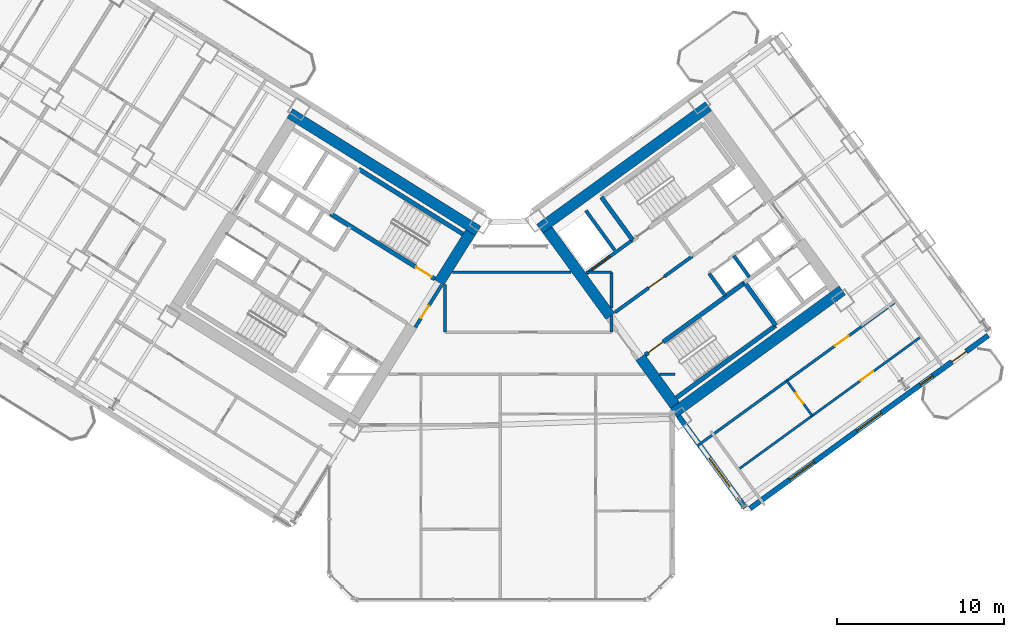
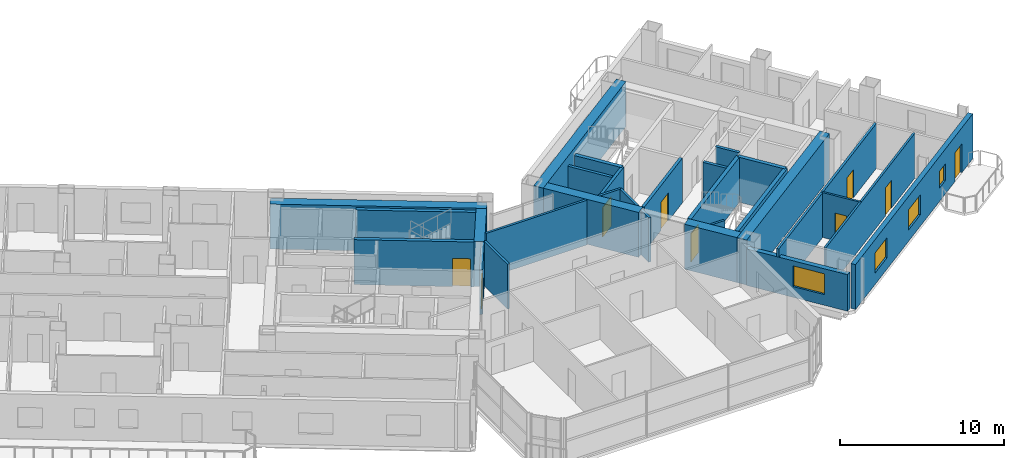
# One storey, part 18 of 24: 29 walls, 9 doors, 4 windows, 13 openings.
"""IFC4 building model written with IfcOpenShell, lengths in metres."""

from ifc_helpers import new_model, si_unit, direction, frame, frame_2d, origin, place, context, subcontext, project, spatial, rectangle, extrude, source, transform, mapped, material, layer, layer_set, type_object, element, fill, save


model = new_model("IFC4")

# Units and contexts
model_context = context("Model", 3, precision=1e-05, world=origin(), true_north=direction((0.0, 1.0)))
body_context = subcontext(model_context, "Body", "Model", "MODEL_VIEW")
ifc_project = project(units=[si_unit("LENGTHUNIT", "METRE"), si_unit("AREAUNIT", "SQUARE_METRE"), si_unit("VOLUMEUNIT", "CUBIC_METRE"), si_unit("PLANEANGLEUNIT", "RADIAN"), si_unit("MASSUNIT", "GRAM", prefix="KILO")], contexts=[model_context])

# Site, building, storey
site_placement = place(None, origin())
site = spatial("IfcSite", under=ifc_project, at=site_placement, CompositionType="ELEMENT")
building_placement = place(site_placement, origin())
building = spatial("IfcBuilding", under=site, at=building_placement, Name="Tlacorven Tower", CompositionType="ELEMENT")
storey_placement = place(building_placement, frame((0.0, 0.0, 45.60009765625)))
storey = spatial("IfcBuildingStorey", under=building, at=storey_placement, Name="L11", CompositionType="ELEMENT", Elevation=45.60009765625)

# Walls
ifc_material_1 = material(Name="Concrete C60/75", Category="concrete")
ifc_layer_1 = layer(ifc_material_1, 0.64990234375)
ifc_layer_set_1 = layer_set([ifc_layer_1], Name="Concrete C60/75")
wall_type_1 = type_object("IfcWallType", Name="WL-COR-650", PredefinedType="SHEAR", material=ifc_layer_set_1)
wall_1_placement = place(storey_placement, frame((40.615478515625, 23.9833984375, 0.0), z_axis=(0.0, 0.0, 1.0), x_axis=(-0.848045953968, 0.529922692436, 0.0)))
element("IfcWall", 1, at=wall_1_placement, inside=storey, type_object=wall_type_1, Name="L11 W core shear wall S1", PredefinedType="SHEAR", context=body_context, shape_type="SweptSolid", body=[
    extrude(rectangle(XDim=13.239990234375, YDim=0.64990234375, at=frame_2d((6.6201171875, 0.0))), origin(), (0.0, 0.0, 1.0), 3.349853515625),
])
wall_2_placement = place(storey_placement, frame((40.167724609375, 23.880126953125, 0.0), z_axis=(0.0, 0.0, 1.0), x_axis=(-0.529893103397, -0.8480644427, 0.0)))
element("IfcWall", 2, at=wall_2_placement, inside=storey, type_object=wall_type_1, Name="L11 W core end wall E1.1", PredefinedType="SHEAR", context=body_context, shape_type="SweptSolid", body=[
    extrude(rectangle(XDim=3.525146484375, YDim=0.64990234375, at=frame_2d((1.7626953125, 0.0))), origin(), (0.0, 0.0, 1.0), 3.349853515625),
])
wall_3_placement = place(storey_placement, frame((52.318359375, 13.1103515625, 0.0), z_axis=(0.0, 0.0, 1.0), x_axis=(0.809019445368, 0.587781878776, 0.0)))
element("IfcWall", 3, at=wall_3_placement, inside=storey, type_object=wall_type_1, Name="L11 E core shear wall S1", PredefinedType="SHEAR", context=body_context, shape_type="SweptSolid", body=[
    extrude(rectangle(XDim=12.43994140625, YDim=0.64990234375, at=frame_2d((6.219970703125, 0.0))), origin(), (0.0, 0.0, 1.0), 3.349853515625),
])
wall_4_placement = place(storey_placement, frame((44.32470703125, 24.113037109375, 0.0), z_axis=(0.0, 0.0, 1.0), x_axis=(0.809012664862, 0.58779121131, 0.0)))
element("IfcWall", 4, at=wall_4_placement, inside=storey, type_object=wall_type_1, Name="L11 E core shear wall S2", PredefinedType="SHEAR", context=body_context, shape_type="SweptSolid", body=[
    extrude(rectangle(XDim=12.439697265625, YDim=0.64990234375, at=frame_2d((6.2197265625, 0.0))), origin(), (0.0, 0.0, 1.0), 3.349853515625),
])
wall_5_placement = place(storey_placement, frame((52.390380859375, 13.564208984375, 0.0), z_axis=(0.0, 0.0, 1.0), x_axis=(-0.58779688989, 0.809008539037, 0.0)))
element("IfcWall", 5, at=wall_5_placement, inside=storey, type_object=wall_type_1, Name="L11 E core end wall E1.1", PredefinedType="SHEAR", context=body_context, shape_type="SweptSolid", body=[
    extrude(rectangle(XDim=3.525146484375, YDim=0.64990234375, at=frame_2d((1.7626953125, 0.0))), origin(), (0.0, 0.0, 1.0), 3.349853515625),
])
wall_6_placement = place(storey_placement, frame((48.525634765625, 18.883544921875, 0.0), z_axis=(0.0, 0.0, 1.0), x_axis=(-0.58777996584, 0.809020835181, 0.0)))
element("IfcWall", 6, at=wall_6_placement, inside=storey, type_object=wall_type_1, Name="L11 E core end wall E1.2", PredefinedType="SHEAR", context=body_context, shape_type="SweptSolid", body=[
    extrude(rectangle(XDim=6.375, YDim=0.64990234375, at=frame_2d((3.1875, 0.0))), origin(), (0.0, 0.0, 1.0), 3.349853515625),
])
ifc_material_2 = material(Name="Gypsum plasterboard acoustic partition", Category="gypsum")
ifc_layer_2 = layer(ifc_material_2, 0.159912109375)
ifc_layer_set_2 = layer_set([ifc_layer_2], Name="Gypsum plasterboard acoustic partition")
wall_type_2 = type_object("IfcWallType", Name="WL-DEM-160", PredefinedType="PARTITIONING", material=ifc_layer_set_2)
wall_7_placement = place(storey_placement, frame((51.477294921875, 15.419921875, 0.0), z_axis=(0.0, 0.0, 1.0), x_axis=(1.0, 0.0, 0.0)))
element("IfcWall", 7, at=wall_7_placement, inside=storey, type_object=wall_type_2, Name="L11 Knuckle Corridor South Wall", PredefinedType="PARTITIONING", context=body_context, shape_type="SweptSolid", body=[
    extrude(rectangle(XDim=0.922607421875, YDim=0.159912109375, at=frame_2d((0.46142578125, 0.0))), origin(), (0.0, 0.0, 1.0), 3.33984375),
])
wall_8_placement = place(storey_placement, frame((38.64990234375, 17.929931640625, 0.0), z_axis=(0.0, 0.0, 1.0), x_axis=(0.0, 1.0, 0.0)))
element("IfcWall", 8, at=wall_8_placement, inside=storey, type_object=wall_type_2, Name="L11 partition 82", PredefinedType="PARTITIONING", context=body_context, shape_type="SweptSolid", body=[
    extrude(rectangle(XDim=2.85693359375, YDim=0.159912109375, at=frame_2d((1.428466796875, 0.0))), origin(), (0.0, 0.0, 1.0), 3.33984375),
])
wall_9_placement = place(storey_placement, frame((48.60009765625, 17.929931640625, 0.0), z_axis=(0.0, 0.0, 1.0), x_axis=(0.0, 1.0, 0.0)))
element("IfcWall", 9, at=wall_9_placement, inside=storey, type_object=wall_type_2, Name="L11 partition 83", PredefinedType="PARTITIONING", context=body_context, shape_type="SweptSolid", body=[
    extrude(rectangle(XDim=0.99267578125, YDim=0.159912109375, at=frame_2d((0.496337890625, 0.0))), origin(), (0.0, 0.0, 1.0), 3.33984375),
])
wall_10_placement = place(storey_placement, frame((48.60009765625, 19.380126953125, 0.0), z_axis=(0.0, 0.0, 1.0), x_axis=(0.0, 1.0, 0.0)))
element("IfcWall", 10, at=wall_10_placement, inside=storey, type_object=wall_type_2, Name="L11 partition 83", PredefinedType="PARTITIONING", context=body_context, shape_type="SweptSolid", body=[
    extrude(rectangle(XDim=2.119873046875, YDim=0.159912109375, at=frame_2d((1.06005859375, 0.0))), origin(), (0.0, 0.0, 1.0), 3.33984375),
])
wall_11_placement = place(storey_placement, frame((39.095458984375, 21.5, 0.0), z_axis=(0.0, 0.0, 1.0), x_axis=(1.0, 0.0, 0.0)))
element("IfcWall", 11, at=wall_11_placement, inside=storey, type_object=wall_type_2, Name="L11 partition 84", PredefinedType="PARTITIONING", context=body_context, shape_type="SweptSolid", body=[
    extrude(rectangle(XDim=7.09423828125, YDim=0.159912109375, at=frame_2d((3.547119140625, 0.0))), origin(), (0.0, 0.0, 1.0), 3.33984375),
])
wall_12_placement = place(storey_placement, frame((47.059814453125, 21.5, 0.0), z_axis=(0.0, 0.0, 1.0), x_axis=(1.0, 0.0, 0.0)))
element("IfcWall", 12, at=wall_12_placement, inside=storey, type_object=wall_type_2, Name="L11 partition 84", PredefinedType="PARTITIONING", context=body_context, shape_type="SweptSolid", body=[
    extrude(rectangle(XDim=1.540283203125, YDim=0.159912109375, at=frame_2d((0.77001953125, 0.0))), origin(), (0.0, 0.0, 1.0), 3.33984375),
])

# Wall, opening, door
wall_13_placement = place(storey_placement, frame((53.70458984375, 11.1259765625, 0.0), z_axis=(0.0, 0.0, 1.0), x_axis=(0.809014504436, 0.587788679384, 0.0)))
wall_13 = element("IfcWall", 13, at=wall_13_placement, inside=storey, type_object=wall_type_2, Name="L11 partition 104", PredefinedType="PARTITIONING", context=body_context, shape_type="SweptSolid", body=[
    extrude(rectangle(XDim=14.669921875, YDim=0.159912109375, at=frame_2d((7.3349609375, 0.0))), origin(), (0.0, 0.0, 1.0), 3.33984375),
])
opening_1_placement = place(wall_13_placement, frame((10.199951171875, 0.0, 0.0)))
opening_1 = element("IfcOpeningElement", 14, at=opening_1_placement, cuts=wall_13, Name="Opening D11", PredefinedType="OPENING", context=body_context, shape_type="SweptSolid", body=[
    extrude(rectangle(XDim=1.0, YDim=2.10009765625, at=frame_2d((0.5, 1.050048828125))), frame((0.0, 0.08984375, 0.0), z_axis=(0.0, -1.0, 0.0), x_axis=(1.0, 0.0, 0.0)), (0.0, 0.0, 1.0), 0.179931640625),
])
ifc_material_3 = material(Name="Fire-rated steel door assembly", Category="steel")
door_type_1 = type_object("IfcDoorType", Name="DR-FLT-FD60-1000", OperationType="NOTDEFINED", PredefinedType="DOOR", material=ifc_material_3)
shared_shape_1 = source(origin(), body_context, "Body", "SweptSolid", [
    extrude(rectangle(XDim=1.0, YDim=2.10009765625, at=frame_2d((0.5, 1.050048828125))), frame((0.0, 0.02490234375, 0.0), z_axis=(0.0, -1.0, 0.0), x_axis=(1.0, 0.0, 0.0)), (0.0, 0.0, 1.0), 0.050048828125),
])
door_1_placement = place(opening_1_placement, origin())
door_1 = element("IfcDoor", 15, at=door_1_placement, inside=storey, type_object=door_type_1, Name="L11 door 065", OperationType="SINGLE_SWING_RIGHT", OverallHeight=2.10009765625, OverallWidth=1.0, PredefinedType="DOOR", context=body_context, shape_type="MappedRepresentation", body=[
    mapped(shared_shape_1, transform((0.0, 0.0, 0.0), scale=1.0)),
])
fill(opening_1, door_1)

# Wall, openings, door, windows
ifc_material_4 = material(Name="Precast concrete C45/55", Category="concrete")
ifc_layer_3 = layer(ifc_material_4, 0.320068359375)
ifc_layer_set_3 = layer_set([ifc_layer_3], Name="Precast concrete C45/55")
wall_type_3 = type_object("IfcWallType", Name="WL-EXT-320", PredefinedType="STANDARD", material=ifc_layer_set_3)
wall_14_placement = place(storey_placement, frame((71.097900390625, 17.73095703125, 0.0), z_axis=(0.0, 0.0, 1.0), x_axis=(-0.809021120468, -0.587779573171, 0.0)))
wall_14 = element("IfcWall", 16, at=wall_14_placement, inside=storey, type_object=wall_type_3, Name="L11 Masonry-Frame Recessed Facade Wall 6", PredefinedType="STANDARD", context=body_context, shape_type="SweptSolid", body=[
    extrude(rectangle(XDim=17.587646484375, YDim=0.320068359375, at=frame_2d((8.7939453125, 0.0))), origin(), (0.0, 0.0, 1.0), 3.349853515625),
])
opening_2_placement = place(wall_14_placement, frame((1.623779296875, 0.0, 0.0)))
opening_2 = element("IfcOpeningElement", 17, at=opening_2_placement, cuts=wall_14, Name="Opening D06", PredefinedType="OPENING", context=body_context, shape_type="SweptSolid", body=[
    extrude(rectangle(XDim=1.050048828125, YDim=2.14990234375, at=frame_2d((0.52490234375, 1.074951171875))), frame((0.0, 0.169921875, 0.0), z_axis=(0.0, -1.0, 0.0), x_axis=(1.0, 0.0, 0.0)), (0.0, 0.0, 1.0), 0.340087890625),
])
opening_3_placement = place(wall_14_placement, frame((4.103759765625, 0.0, 1.0)))
opening_3 = element("IfcOpeningElement", 18, at=opening_3_placement, cuts=wall_14, Name="Opening WN05", PredefinedType="OPENING", context=body_context, shape_type="SweptSolid", body=[
    extrude(rectangle(XDim=0.89990234375, YDim=1.25, at=frame_2d((0.449951171875, 0.625))), frame((0.0, 0.169921875, 0.0), z_axis=(0.0, -1.0, 0.0), x_axis=(1.0, 0.0, 0.0)), (0.0, 0.0, 1.0), 0.340087890625),
])
opening_4_placement = place(wall_14_placement, frame((7.878662109375, 0.0, 0.85009765625)))
opening_4 = element("IfcOpeningElement", 19, at=opening_4_placement, cuts=wall_14, Name="Opening WN01", PredefinedType="OPENING", context=body_context, shape_type="SweptSolid", body=[
    extrude(rectangle(XDim=1.800048828125, YDim=1.5, at=frame_2d((0.89990234375, 0.75))), frame((0.0, 0.169921875, 0.0), z_axis=(0.0, -1.0, 0.0), x_axis=(1.0, 0.0, 0.0)), (0.0, 0.0, 1.0), 0.340087890625),
])
opening_5_placement = place(wall_14_placement, frame((12.8486328125, 0.0, 0.85009765625)))
opening_5 = element("IfcOpeningElement", 20, at=opening_5_placement, cuts=wall_14, Name="Opening WN01", PredefinedType="OPENING", context=body_context, shape_type="SweptSolid", body=[
    extrude(rectangle(XDim=1.800048828125, YDim=1.5, at=frame_2d((0.89990234375, 0.75))), frame((0.0, 0.169921875, 0.0), z_axis=(0.0, -1.0, 0.0), x_axis=(1.0, 0.0, 0.0)), (0.0, 0.0, 1.0), 0.340087890625),
])
ifc_material_5 = material(Name="Powder-coated aluminium and timber door", Category="wood")
door_type_2 = type_object("IfcDoorType", Name="DR-EXT-BALC-1050", OperationType="NOTDEFINED", PredefinedType="DOOR", material=ifc_material_5)
shared_shape_2 = source(origin(), body_context, "Body", "SweptSolid", [
    extrude(rectangle(XDim=1.050048828125, YDim=2.14990234375, at=frame_2d((0.52490234375, 1.074951171875))), frame((0.0, 0.02490234375, 0.0), z_axis=(0.0, -1.0, 0.0), x_axis=(1.0, 0.0, 0.0)), (0.0, 0.0, 1.0), 0.050048828125),
])
door_2_placement = place(opening_2_placement, origin())
door_2 = element("IfcDoor", 21, at=door_2_placement, inside=storey, type_object=door_type_2, Name="L11 Outdoor Access Door BAL-L11-E-OUT", OperationType="SINGLE_SWING_LEFT", OverallHeight=2.14990234375, OverallWidth=1.050048828125, PredefinedType="DOOR", context=body_context, shape_type="MappedRepresentation", body=[
    mapped(shared_shape_2, transform((0.0, 0.0, 0.0), scale=1.0)),
])
fill(opening_2, door_2)
ifc_material_6 = material(Name="Dark solar low-E double glazing in anodised aluminium frame", Category="aluminium")
window_type_1 = type_object("IfcWindowType", Name="WN-APT-1800X1650", PartitioningType="SINGLE_PANEL", PredefinedType="WINDOW", material=ifc_material_6)
shared_shape_3 = source(origin(), body_context, "Body", "SweptSolid", [
    extrude(rectangle(XDim=1.800048828125, YDim=1.5, at=frame_2d((0.89990234375, 0.75))), frame((0.0, 0.030029296875, 0.0), z_axis=(0.0, -1.0, 0.0), x_axis=(1.0, 0.0, 0.0)), (0.0, 0.0, 1.0), 0.06005859375),
])
window_1_placement = place(opening_4_placement, origin())
window_1 = element("IfcWindow", 22, at=window_1_placement, inside=storey, type_object=window_type_1, Name="L11 Recessed Masonry-Frame Window L11-06.2", OverallHeight=1.5, OverallWidth=1.800048828125, PartitioningType="SINGLE_PANEL", PredefinedType="WINDOW", context=body_context, shape_type="MappedRepresentation", body=[
    mapped(shared_shape_3, transform((0.0, 0.0, 0.0), scale=1.0)),
])
fill(opening_4, window_1)
window_2_placement = place(opening_5_placement, origin())
window_2 = element("IfcWindow", 23, at=window_2_placement, inside=storey, type_object=window_type_1, Name="L11 Recessed Masonry-Frame Window L11-06.3", OverallHeight=1.5, OverallWidth=1.800048828125, PartitioningType="SINGLE_PANEL", PredefinedType="WINDOW", context=body_context, shape_type="MappedRepresentation", body=[
    mapped(shared_shape_3, transform((0.0, 0.0, 0.0), scale=1.0)),
])
fill(opening_5, window_2)
window_type_2 = type_object("IfcWindowType", Name="WN-APT-0900X1350", PartitioningType="SINGLE_PANEL", PredefinedType="WINDOW", material=ifc_material_6)
shared_shape_4 = source(origin(), body_context, "Body", "SweptSolid", [
    extrude(rectangle(XDim=0.89990234375, YDim=1.25, at=frame_2d((0.449951171875, 0.625))), frame((0.0, 0.030029296875, 0.0), z_axis=(0.0, -1.0, 0.0), x_axis=(1.0, 0.0, 0.0)), (0.0, 0.0, 1.0), 0.06005859375),
])
window_3_placement = place(opening_3_placement, origin())
window_3 = element("IfcWindow", 24, at=window_3_placement, inside=storey, type_object=window_type_2, Name="L11 Recessed Masonry-Frame Window L11-06.1", OverallHeight=1.25, OverallWidth=0.89990234375, PartitioningType="SINGLE_PANEL", PredefinedType="WINDOW", context=body_context, shape_type="MappedRepresentation", body=[
    mapped(shared_shape_4, transform((0.0, 0.0, 0.0), scale=1.0)),
])
fill(opening_3, window_3)

# Wall, opening, window
wall_15_placement = place(storey_placement, frame((56.5810546875, 7.43896484375, 0.0), z_axis=(0.0, 0.0, 1.0), x_axis=(-0.587785875463, 0.809016541614, 0.0)))
wall_15 = element("IfcWall", 25, at=wall_15_placement, inside=storey, type_object=wall_type_3, Name="L11 Masonry-Frame Recessed Facade Wall 7", PredefinedType="STANDARD", context=body_context, shape_type="SweptSolid", body=[
    extrude(rectangle(XDim=6.773681640625, YDim=0.320068359375, at=frame_2d((3.38671875, 0.0))), origin(), (0.0, 0.0, 1.0), 2.724853515625),
])
opening_6_placement = place(wall_15_placement, frame((1.55615234375, 0.0, 0.800048828125)))
opening_6 = element("IfcOpeningElement", 26, at=opening_6_placement, cuts=wall_15, Name="Opening WN04", PredefinedType="OPENING", context=body_context, shape_type="SweptSolid", body=[
    extrude(rectangle(XDim=2.10009765625, YDim=1.550048828125, at=frame_2d((1.050048828125, 0.77490234375))), frame((0.0, 0.169921875, 0.0), z_axis=(0.0, -1.0, 0.0), x_axis=(1.0, 0.0, 0.0)), (0.0, 0.0, 1.0), 0.340087890625),
])
window_type_3 = type_object("IfcWindowType", Name="WN-APT-2100X1750", PartitioningType="SINGLE_PANEL", PredefinedType="WINDOW", material=ifc_material_6)
shared_shape_5 = source(origin(), body_context, "Body", "SweptSolid", [
    extrude(rectangle(XDim=2.10009765625, YDim=1.550048828125, at=frame_2d((1.050048828125, 0.77490234375))), frame((0.0, 0.030029296875, 0.0), z_axis=(0.0, -1.0, 0.0), x_axis=(1.0, 0.0, 0.0)), (0.0, 0.0, 1.0), 0.06005859375),
])
window_4_placement = place(opening_6_placement, origin())
window_4 = element("IfcWindow", 27, at=window_4_placement, inside=storey, type_object=window_type_3, Name="L11 Recessed Masonry-Frame Window L11-07.1", OverallHeight=1.550048828125, OverallWidth=2.10009765625, PartitioningType="SINGLE_PANEL", PredefinedType="WINDOW", context=body_context, shape_type="MappedRepresentation", body=[
    mapped(shared_shape_5, transform((0.0, 0.0, 0.0), scale=1.0)),
])
fill(opening_6, window_4)

# Wall, opening, door
ifc_material_7 = material(Name="Moisture-resistant gypsum plumbing wall", Category="gypsum")
ifc_layer_4 = layer(ifc_material_7, 0.139892578125)
ifc_layer_set_4 = layer_set([ifc_layer_4], Name="Moisture-resistant gypsum plumbing wall")
wall_type_4 = type_object("IfcWallType", Name="WL-PLM-140", PredefinedType="PLUMBINGWALL", material=ifc_layer_set_4)
wall_16_placement = place(storey_placement, frame((56.24853515625, 9.78515625, 0.0), z_axis=(0.0, 0.0, 1.0), x_axis=(0.809011747655, 0.587792473715, 0.0)))
wall_16 = element("IfcWall", 28, at=wall_16_placement, inside=storey, type_object=wall_type_4, Name="L11 partition 106", PredefinedType="PLUMBINGWALL", context=body_context, shape_type="SweptSolid", body=[
    extrude(rectangle(XDim=13.400146484375, YDim=0.139892578125, at=frame_2d((6.7001953125, 0.0))), origin(), (0.0, 0.0, 1.0), 3.33984375),
])
opening_7_placement = place(wall_16_placement, frame((8.93994140625, 0.0, 0.0)))
opening_7 = element("IfcOpeningElement", 29, at=opening_7_placement, cuts=wall_16, Name="Opening D12", PredefinedType="OPENING", context=body_context, shape_type="SweptSolid", body=[
    extrude(rectangle(XDim=0.919921875, YDim=2.080078125, at=frame_2d((0.4599609375, 1.0400390625))), frame((0.0, 0.080078125, 0.0), z_axis=(0.0, -1.0, 0.0), x_axis=(1.0, 0.0, 0.0)), (0.0, 0.0, 1.0), 0.159912109375),
])
door_type_3 = type_object("IfcDoorType", Name="DR-INT-ROOM-0920", OperationType="NOTDEFINED", PredefinedType="DOOR", material=ifc_material_5)
shared_shape_6 = source(origin(), body_context, "Body", "SweptSolid", [
    extrude(rectangle(XDim=0.919921875, YDim=2.080078125, at=frame_2d((0.4599609375, 1.0400390625))), frame((0.0, 0.02490234375, 0.0), z_axis=(0.0, -1.0, 0.0), x_axis=(1.0, 0.0, 0.0)), (0.0, 0.0, 1.0), 0.050048828125),
])
door_3_placement = place(opening_7_placement, origin())
door_3 = element("IfcDoor", 30, at=door_3_placement, inside=storey, type_object=door_type_3, Name="L11 door 066", OperationType="SINGLE_SWING_LEFT", OverallHeight=2.080078125, OverallWidth=0.919921875, PredefinedType="DOOR", context=body_context, shape_type="MappedRepresentation", body=[
    mapped(shared_shape_6, transform((0.0, 0.0, 0.0), scale=1.0)),
])
fill(opening_7, door_3)

wall_17_placement = place(storey_placement, frame((60.584716796875, 12.935791015625, 0.0), z_axis=(0.0, 0.0, 1.0), x_axis=(-0.587772116736, 0.809026537752, 0.0)))
wall_17 = element("IfcWall", 31, at=wall_17_placement, inside=storey, type_object=wall_type_4, Name="L11 partition 107", PredefinedType="PLUMBINGWALL", context=body_context, shape_type="SweptSolid", body=[
    extrude(rectangle(XDim=2.579833984375, YDim=0.139892578125, at=frame_2d((1.2900390625, 0.0))), origin(), (0.0, 0.0, 1.0), 3.33984375),
])
opening_8_placement = place(wall_17_placement, frame((0.89990234375, 0.0, 0.0)))
opening_8 = element("IfcOpeningElement", 32, at=opening_8_placement, cuts=wall_17, Name="Opening D22", PredefinedType="OPENING", context=body_context, shape_type="SweptSolid", body=[
    extrude(rectangle(XDim=0.780029296875, YDim=2.050048828125, at=frame_2d((0.39013671875, 1.02490234375))), frame((0.0, 0.080078125, 0.0), z_axis=(0.0, -1.0, 0.0), x_axis=(1.0, 0.0, 0.0)), (0.0, 0.0, 1.0), 0.159912109375),
])
door_type_4 = type_object("IfcDoorType", Name="DR-INT-WET-0780", OperationType="NOTDEFINED", PredefinedType="DOOR", material=ifc_material_5)
shared_shape_7 = source(origin(), body_context, "Body", "SweptSolid", [
    extrude(rectangle(XDim=0.780029296875, YDim=2.050048828125, at=frame_2d((0.39013671875, 1.02490234375))), frame((0.0, 0.02490234375, 0.0), z_axis=(0.0, -1.0, 0.0), x_axis=(1.0, 0.0, 0.0)), (0.0, 0.0, 1.0), 0.050048828125),
])
door_4_placement = place(opening_8_placement, origin())
door_4 = element("IfcDoor", 33, at=door_4_placement, inside=storey, type_object=door_type_4, Name="L11 door 067", OperationType="SINGLE_SWING_RIGHT", OverallHeight=2.050048828125, OverallWidth=0.780029296875, PredefinedType="DOOR", context=body_context, shape_type="MappedRepresentation", body=[
    mapped(shared_shape_7, transform((0.0, 0.0, 0.0), scale=1.0)),
])
fill(opening_8, door_4)

ifc_material_8 = material(Name="Concrete C40/50", Category="concrete")
ifc_layer_5 = layer(ifc_material_8, 0.199951171875)
ifc_layer_set_5 = layer_set([ifc_layer_5], Name="Concrete C40/50")
wall_type_5 = type_object("IfcWallType", Name="WL-SHF-200", PredefinedType="STANDARD", material=ifc_layer_set_5)
wall_18_placement = place(storey_placement, frame((47.10595703125, 21.4365234375, 0.0), z_axis=(0.0, 0.0, 1.0), x_axis=(0.809012514015, 0.58779141893, 0.0)))
wall_18 = element("IfcWall", 34, at=wall_18_placement, inside=storey, type_object=wall_type_5, Name="L11 Core E Firefighting Lift Shaft Front Wall", PredefinedType="STANDARD", context=body_context, shape_type="SweptSolid", body=[
    extrude(rectangle(XDim=3.39794921875, YDim=0.199951171875, at=frame_2d((1.698974609375, 0.0))), origin(), (0.0, 0.0, 1.0), 3.33984375),
])
opening_9_placement = place(wall_18_placement, frame((0.407958984375, 0.0, 0.0)))
opening_9 = element("IfcOpeningElement", 35, at=opening_9_placement, cuts=wall_18, Name="Opening LD03", PredefinedType="OPENING", context=body_context, shape_type="SweptSolid", body=[
    extrude(rectangle(XDim=1.300048828125, YDim=2.199951171875, at=frame_2d((0.64990234375, 1.10009765625))), frame((0.0, 0.10986328125, 0.0), z_axis=(0.0, -1.0, 0.0), x_axis=(1.0, 0.0, 0.0)), (0.0, 0.0, 1.0), 0.219970703125),
])
door_type_5 = type_object("IfcDoorType", Name="DR-LFT-SLID-1300", OperationType="DOUBLE_DOOR_SLIDING", PredefinedType="DOOR", material=ifc_material_3)
shared_shape_8 = source(origin(), body_context, "Body", "SweptSolid", [
    extrude(rectangle(XDim=1.300048828125, YDim=2.199951171875, at=frame_2d((0.64990234375, 1.10009765625))), frame((0.0, 0.02490234375, 0.0), z_axis=(0.0, -1.0, 0.0), x_axis=(1.0, 0.0, 0.0)), (0.0, 0.0, 1.0), 0.050048828125),
])
door_5_placement = place(opening_9_placement, origin())
door_5 = element("IfcDoor", 36, at=door_5_placement, inside=storey, type_object=door_type_5, Name="L11 Lift FFL-E1 Sliding Landing Door", OperationType="DOUBLE_DOOR_SLIDING", OverallHeight=2.199951171875, OverallWidth=1.300048828125, PredefinedType="DOOR", context=body_context, shape_type="MappedRepresentation", body=[
    mapped(shared_shape_8, transform((0.0, 0.0, 0.0), scale=1.0)),
])
fill(opening_9, door_5)

wall_19_placement = place(storey_placement, frame((48.798828125, 19.106689453125, 0.0), z_axis=(0.0, 0.0, 1.0), x_axis=(0.809012959416, 0.587790805897, 0.0)))
wall_19 = element("IfcWall", 37, at=wall_19_placement, inside=storey, type_object=wall_type_5, Name="L11 Core E Smoke Lobby Wall", PredefinedType="STANDARD", context=body_context, shape_type="SweptSolid", body=[
    extrude(rectangle(XDim=5.7177734375, YDim=0.199951171875, at=frame_2d((2.85888671875, 0.0))), origin(), (0.0, 0.0, 1.0), 3.33984375),
])
opening_10_placement = place(wall_19_placement, frame((2.498046875, 0.0, 0.0)))
opening_10 = element("IfcOpeningElement", 38, at=opening_10_placement, cuts=wall_19, Name="Opening D09", PredefinedType="OPENING", context=body_context, shape_type="SweptSolid", body=[
    extrude(rectangle(XDim=1.14990234375, YDim=2.10009765625, at=frame_2d((0.574951171875, 1.050048828125))), frame((0.0, 0.10986328125, 0.0), z_axis=(0.0, -1.0, 0.0), x_axis=(1.0, 0.0, 0.0)), (0.0, 0.0, 1.0), 0.219970703125),
])
door_type_6 = type_object("IfcDoorType", Name="DR-FFL-FD60-1150", OperationType="NOTDEFINED", PredefinedType="DOOR", material=ifc_material_3)
shared_shape_9 = source(origin(), body_context, "Body", "SweptSolid", [
    extrude(rectangle(XDim=1.14990234375, YDim=2.10009765625, at=frame_2d((0.574951171875, 1.050048828125))), frame((0.0, 0.02490234375, 0.0), z_axis=(0.0, -1.0, 0.0), x_axis=(1.0, 0.0, 0.0)), (0.0, 0.0, 1.0), 0.050048828125),
])
door_6_placement = place(opening_10_placement, origin())
door_6 = element("IfcDoor", 39, at=door_6_placement, inside=storey, type_object=door_type_6, Name="L11 Firefighting Lobby E Fire Door", OperationType="SINGLE_SWING_LEFT", OverallHeight=2.10009765625, OverallWidth=1.14990234375, PredefinedType="DOOR", context=body_context, shape_type="MappedRepresentation", body=[
    mapped(shared_shape_9, transform((0.0, 0.0, 0.0), scale=1.0)),
])
fill(opening_10, door_6)

# Walls
wall_20_placement = place(storey_placement, frame((55.390869140625, 20.1015625, 0.0), z_axis=(0.0, 0.0, 1.0), x_axis=(-0.58778447739, 0.809017557374, 0.0)))
element("IfcWall", 40, at=wall_20_placement, inside=storey, type_object=wall_type_5, Name="L11 partition 37", PredefinedType="STANDARD", context=body_context, shape_type="SweptSolid", body=[
    extrude(rectangle(XDim=1.64990234375, YDim=0.199951171875, at=frame_2d((0.824951171875, 0.0))), origin(), (0.0, 0.0, 1.0), 3.33984375),
])
wall_21_placement = place(storey_placement, frame((48.78564453125, 22.830078125, 0.0), z_axis=(0.0, 0.0, 1.0), x_axis=(-0.587783856777, 0.809018008275, 0.0)))
element("IfcWall", 41, at=wall_21_placement, inside=storey, type_object=wall_type_5, Name="L11 partition 38", PredefinedType="STANDARD", context=body_context, shape_type="SweptSolid", body=[
    extrude(rectangle(XDim=2.919921875, YDim=0.199951171875, at=frame_2d((1.4599609375, 0.0))), origin(), (0.0, 0.0, 1.0), 3.33984375),
])
wall_22_placement = place(storey_placement, frame((56.833984375, 21.211669921875, 0.0), z_axis=(0.0, 0.0, 1.0), x_axis=(-0.58776738483, 0.809029975545, 0.0)))
element("IfcWall", 42, at=wall_22_placement, inside=storey, type_object=wall_type_5, Name="L11 partition 39", PredefinedType="STANDARD", context=body_context, shape_type="SweptSolid", body=[
    extrude(rectangle(XDim=1.580078125, YDim=0.199951171875, at=frame_2d((0.7900390625, 0.0))), origin(), (0.0, 0.0, 1.0), 3.33984375),
])

# Wall, opening, door
wall_23_placement = place(storey_placement, frame((38.451416015625, 20.737060546875, 0.0), z_axis=(0.0, 0.0, 1.0), x_axis=(-0.529924799939, -0.848044637038, 0.0)))
wall_23 = element("IfcWall", 43, at=wall_23_placement, inside=storey, type_object=wall_type_5, Name="L11 partition 79", PredefinedType="STANDARD", context=body_context, shape_type="SweptSolid", body=[
    extrude(rectangle(XDim=2.9599609375, YDim=0.199951171875, at=frame_2d((1.47998046875, 0.0))), origin(), (0.0, 0.0, 1.0), 3.33984375),
])
opening_11_placement = place(wall_23_placement, frame((1.4599609375, 0.0, 0.0)))
opening_11 = element("IfcOpeningElement", 44, at=opening_11_placement, cuts=wall_23, Name="Opening D19", PredefinedType="OPENING", context=body_context, shape_type="SweptSolid", body=[
    extrude(rectangle(XDim=0.860107421875, YDim=2.050048828125, at=frame_2d((0.43017578125, 1.02490234375))), frame((0.0, 0.10986328125, 0.0), z_axis=(0.0, -1.0, 0.0), x_axis=(1.0, 0.0, 0.0)), (0.0, 0.0, 1.0), 0.219970703125),
])
door_type_7 = type_object("IfcDoorType", Name="DR-RSR-FD60-0860", OperationType="NOTDEFINED", PredefinedType="DOOR", material=ifc_material_3)
shared_shape_10 = source(origin(), body_context, "Body", "SweptSolid", [
    extrude(rectangle(XDim=0.860107421875, YDim=2.050048828125, at=frame_2d((0.43017578125, 1.02490234375))), frame((0.0, 0.02490234375, 0.0), z_axis=(0.0, -1.0, 0.0), x_axis=(1.0, 0.0, 0.0)), (0.0, 0.0, 1.0), 0.050048828125),
])
door_7_placement = place(opening_11_placement, frame((0.860107421875, 0.0, 0.0), z_axis=(0.0, 0.0, 1.0), x_axis=(-1.0, 0.0, 0.0)))
door_7 = element("IfcDoor", 45, at=door_7_placement, inside=storey, type_object=door_type_7, Name="L11 door 048", OperationType="SINGLE_SWING_LEFT", OverallHeight=2.050048828125, OverallWidth=0.860107421875, PredefinedType="DOOR", context=body_context, shape_type="MappedRepresentation", body=[
    mapped(shared_shape_10, transform((0.0, 0.0, 0.0), scale=1.0)),
])
fill(opening_11, door_7)

# Wall
ifc_material_9 = material(Name="Concrete C50/60", Category="concrete")
ifc_layer_6 = layer(ifc_material_9, 0.260009765625)
ifc_layer_set_6 = layer_set([ifc_layer_6], Name="Concrete C50/60")
wall_type_6 = type_object("IfcWallType", Name="WL-STW-260", PredefinedType="SHEAR", material=ifc_layer_set_6)
wall_24_placement = place(storey_placement, frame((39.720947265625, 23.787841796875, 0.0), z_axis=(0.0, 0.0, 1.0), x_axis=(-0.848054434086, 0.529909121291, 0.0)))
element("IfcWall", 46, at=wall_24_placement, inside=storey, type_object=wall_type_6, Name="L11 Stair W2 Far Shear Wall", PredefinedType="SHEAR", context=body_context, shape_type="SweptSolid", body=[
    extrude(rectangle(XDim=7.330078125, YDim=0.260009765625, at=frame_2d((3.6650390625, 0.0))), origin(), (0.0, 0.0, 1.0), 3.349853515625),
])

# Wall, opening, door
wall_25_placement = place(storey_placement, frame((38.04638671875, 21.10791015625, 0.0), z_axis=(0.0, 0.0, 1.0), x_axis=(-0.848054434086, 0.529909121291, 0.0)))
wall_25 = element("IfcWall", 47, at=wall_25_placement, inside=storey, type_object=wall_type_6, Name="L11 Stair W2 Lobby Shear Wall", PredefinedType="SHEAR", context=body_context, shape_type="SweptSolid", body=[
    extrude(rectangle(XDim=7.330078125, YDim=0.260009765625, at=frame_2d((3.6650390625, 0.0))), origin(), (0.0, 0.0, 1.0), 3.349853515625),
])
opening_12_placement = place(wall_25_placement, frame((0.219970703125, 0.0, 0.0)))
opening_12 = element("IfcOpeningElement", 48, at=opening_12_placement, cuts=wall_25, Name="Opening D07", PredefinedType="OPENING", context=body_context, shape_type="SweptSolid", body=[
    extrude(rectangle(XDim=1.10009765625, YDim=2.10009765625, at=frame_2d((0.550048828125, 1.050048828125))), frame((0.0, 0.14013671875, 0.0), z_axis=(0.0, -1.0, 0.0), x_axis=(1.0, 0.0, 0.0)), (0.0, 0.0, 1.0), 0.280029296875),
])
door_type_8 = type_object("IfcDoorType", Name="DR-STR-FD90-1100", OperationType="NOTDEFINED", PredefinedType="DOOR", material=ifc_material_3)
shared_shape_11 = source(origin(), body_context, "Body", "SweptSolid", [
    extrude(rectangle(XDim=1.10009765625, YDim=2.10009765625, at=frame_2d((0.550048828125, 1.050048828125))), frame((0.0, 0.02490234375, 0.0), z_axis=(0.0, -1.0, 0.0), x_axis=(1.0, 0.0, 0.0)), (0.0, 0.0, 1.0), 0.050048828125),
])
door_8_placement = place(opening_12_placement, origin())
door_8 = element("IfcDoor", 49, at=door_8_placement, inside=storey, type_object=door_type_8, Name="L11 Exit Stair W2 Fire Door", OperationType="SINGLE_SWING_RIGHT", OverallHeight=2.10009765625, OverallWidth=1.10009765625, PredefinedType="DOOR", context=body_context, shape_type="MappedRepresentation", body=[
    mapped(shared_shape_11, transform((0.0, 0.0, 0.0), scale=1.0)),
])
fill(opening_12, door_8)

# Walls
wall_26_placement = place(storey_placement, frame((49.85498046875, 23.433837890625, 0.0), z_axis=(0.0, 0.0, 1.0), x_axis=(-0.58776738483, 0.809029975545, 0.0)))
element("IfcWall", 50, at=wall_26_placement, inside=storey, type_object=wall_type_6, Name="L11 Stair E1 West Shear Wall", PredefinedType="SHEAR", context=body_context, shape_type="SweptSolid", body=[
    extrude(rectangle(XDim=3.16015625, YDim=0.260009765625, at=frame_2d((1.580078125, 0.0))), origin(), (0.0, 0.0, 1.0), 3.349853515625),
])
wall_27_placement = place(storey_placement, frame((52.47216796875, 14.01318359375, 0.0), z_axis=(0.0, 0.0, 1.0), x_axis=(0.809028366311, 0.587769599847, 0.0)))
element("IfcWall", 51, at=wall_27_placement, inside=storey, type_object=wall_type_6, Name="L11 Stair E2 Far Shear Wall", PredefinedType="SHEAR", context=body_context, shape_type="SweptSolid", body=[
    extrude(rectangle(XDim=7.330078125, YDim=0.260009765625, at=frame_2d((3.6650390625, 0.0))), origin(), (0.0, 0.0, 1.0), 3.349853515625),
])

# Wall, opening, door
wall_28_placement = place(storey_placement, frame((50.61474609375, 16.569580078125, 0.0), z_axis=(0.0, 0.0, 1.0), x_axis=(0.809028366311, 0.587769599847, 0.0)))
wall_28 = element("IfcWall", 52, at=wall_28_placement, inside=storey, type_object=wall_type_6, Name="L11 Stair E2 Lobby Shear Wall", PredefinedType="SHEAR", context=body_context, shape_type="SweptSolid", body=[
    extrude(rectangle(XDim=7.330078125, YDim=0.260009765625, at=frame_2d((3.6650390625, 0.0))), origin(), (0.0, 0.0, 1.0), 3.349853515625),
])
opening_13_placement = place(wall_28_placement, frame((0.219970703125, 0.0, 0.0)))
opening_13 = element("IfcOpeningElement", 53, at=opening_13_placement, cuts=wall_28, Name="Opening D07", PredefinedType="OPENING", context=body_context, shape_type="SweptSolid", body=[
    extrude(rectangle(XDim=1.10009765625, YDim=2.10009765625, at=frame_2d((0.550048828125, 1.050048828125))), frame((0.0, 0.14013671875, 0.0), z_axis=(0.0, -1.0, 0.0), x_axis=(1.0, 0.0, 0.0)), (0.0, 0.0, 1.0), 0.280029296875),
])
door_9_placement = place(opening_13_placement, origin())
door_9 = element("IfcDoor", 54, at=door_9_placement, inside=storey, type_object=door_type_8, Name="L11 Exit Stair E2 Fire Door", OperationType="SINGLE_SWING_RIGHT", OverallHeight=2.10009765625, OverallWidth=1.10009765625, PredefinedType="DOOR", context=body_context, shape_type="MappedRepresentation", body=[
    mapped(shared_shape_11, transform((0.0, 0.0, 0.0), scale=1.0)),
])
fill(opening_13, door_9)

# Wall
wall_29_placement = place(storey_placement, frame((58.410400390625, 18.327392578125, 0.0), z_axis=(0.0, 0.0, 1.0), x_axis=(-0.58776738483, 0.809029975545, 0.0)))
element("IfcWall", 55, at=wall_29_placement, inside=storey, type_object=wall_type_6, Name="L11 Stair E2 East Shear Wall", PredefinedType="SHEAR", context=body_context, shape_type="SweptSolid", body=[
    extrude(rectangle(XDim=3.16015625, YDim=0.260009765625, at=frame_2d((1.580078125, 0.0))), origin(), (0.0, 0.0, 1.0), 3.349853515625),
])

save(model, "model.ifc")
